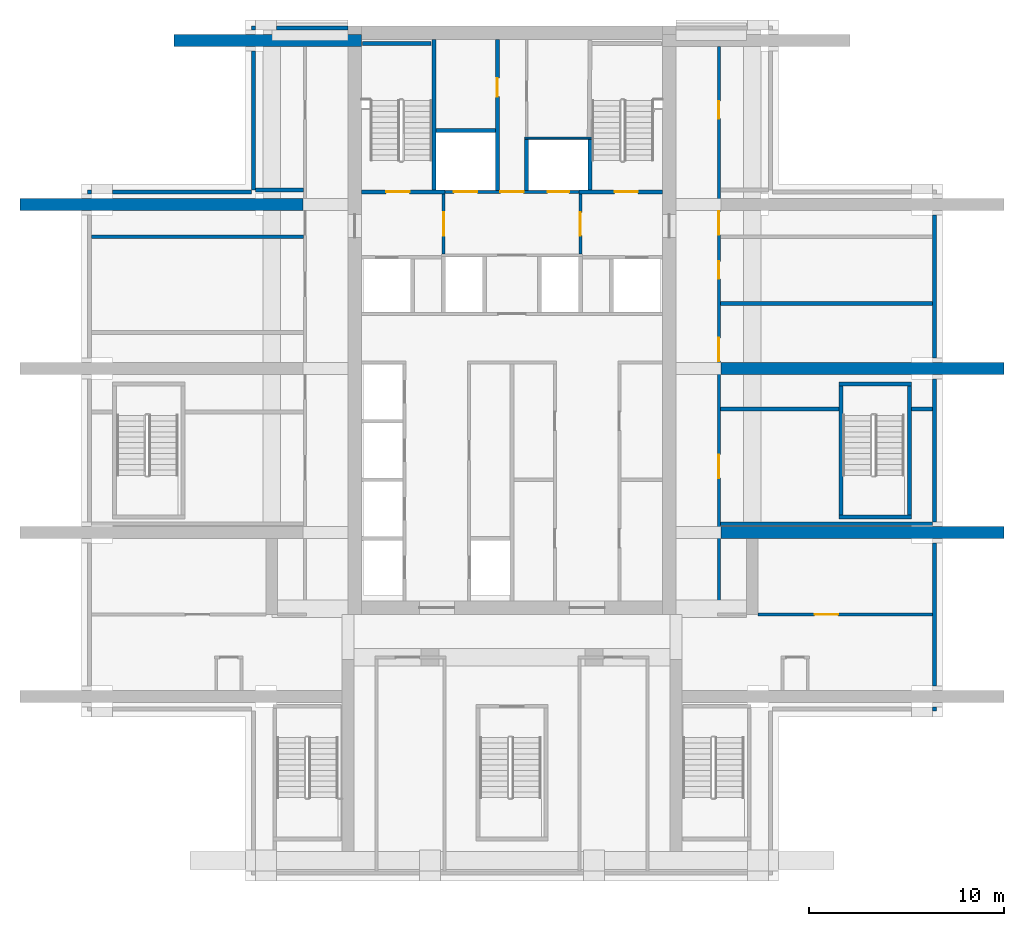
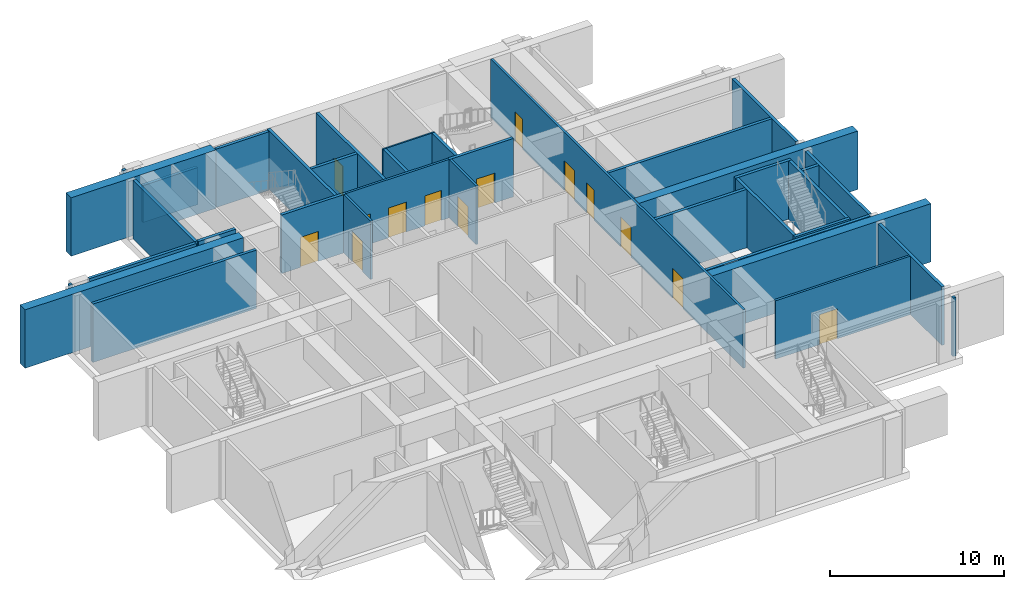
# One storey, part 4 of 10: 37 walls, 14 doors, 14 openings.
"""IFC4 building model written with IfcOpenShell, lengths in metres."""

from ifc_helpers import new_model, si_unit, direction, frame, frame_2d, origin, place, context, subcontext, project, spatial, rectangle, extrude, material, layer, layer_set, type_object, element, fill, save


model = new_model("IFC4")

# Units and contexts
model_context = context("Model", 3, precision=1e-05, world=origin(), true_north=direction((0.0, 1.0)))
body_context = subcontext(model_context, "Body", "Model", "MODEL_VIEW")
ifc_project = project(units=[si_unit("LENGTHUNIT", "METRE"), si_unit("AREAUNIT", "SQUARE_METRE"), si_unit("VOLUMEUNIT", "CUBIC_METRE"), si_unit("PLANEANGLEUNIT", "RADIAN"), si_unit("MASSUNIT", "GRAM", prefix="KILO")], contexts=[model_context])

# Site, building, storey
site_placement = place(None, origin())
site = spatial("IfcSite", under=ifc_project, at=site_placement, CompositionType="ELEMENT")
building_placement = place(site_placement, origin())
building = spatial("IfcBuilding", under=site, at=building_placement, Name="Vermilion Ogive Tower", CompositionType="ELEMENT")
storey_placement = place(building_placement, frame((0.0, 0.0, 171.050048828125)))
storey = spatial("IfcBuildingStorey", under=building, at=storey_placement, Name="L44", CompositionType="ELEMENT", Elevation=171.050048828125)

# Walls
ifc_material_1 = material(Name="Concrete B60", Category="concrete")
ifc_layer_1 = layer(ifc_material_1, 0.60009765625)
ifc_layer_set_1 = layer_set([ifc_layer_1], Name="Outrigger wall 600 B60")
wall_type_1 = type_object("IfcWallType", Name="Outrigger wall 600 B60", PredefinedType="SHEAR", material=ifc_layer_set_1)
for number, where, z_axis, x_axis, name in (
    (1, (10.699951171875, -4.199951171875, 0.0), (0.0, 0.0, 1.0), (1.0, 0.0, 0.0), "L44-OW-EWE-4.2"),
    (2, (10.699951171875, 4.199951171875, 0.0), (0.0, 0.0, 1.0), (1.0, 0.0, 0.0), "L44-OW-EWE+4.2"),
    (3, (-10.699951171875, 12.60009765625, 0.0), (0.0, 0.0, 1.0), (-1.0, 0.0, 0.0), "L44-OW-EWW+12.6"),
):
    element("IfcWall", number, at=place(storey_placement, frame(where, z_axis=z_axis, x_axis=x_axis)), inside=storey, type_object=wall_type_1, Name=name, PredefinedType="SHEAR", context=body_context, shape_type="SweptSolid", body=[
        extrude(rectangle(XDim=14.5, YDim=0.60009765625, at=frame_2d((7.25, 0.0))), origin(), (0.0, 0.0, 1.0), 4.099853515625),
    ])
ifc_material_2 = material(Name="Gypsum board partition on steel studs", Category="steel")
ifc_layer_2 = layer(ifc_material_2, 0.10009765625)
ifc_layer_set_2 = layer_set([ifc_layer_2], Name="Partition 100 bath")
wall_type_2 = type_object("IfcWallType", Name="Partition 100 bath", PredefinedType="PARTITIONING", material=ifc_layer_set_2)
wall_1_placement = place(storey_placement, frame((0.64990234375, 16.0, 0.0), z_axis=(0.0, 0.0, 1.0), x_axis=(1.0, 0.0, 0.0)))
element("IfcWall", 4, at=wall_1_placement, inside=storey, type_object=wall_type_2, Name="L44-CK-W-W017", PredefinedType="PARTITIONING", context=body_context, shape_type="SweptSolid", body=[
    extrude(rectangle(XDim=3.4501953125, YDim=0.10009765625, at=frame_2d((1.72509765625, 0.0))), origin(), (0.0, 0.0, 1.0), 4.099853515625),
])

# Wall, opening, door
ifc_material_3 = material(Name="Gypsum board partition on steel studs", Category="steel")
ifc_layer_3 = layer(ifc_material_3, 0.14990234375)
ifc_layer_set_3 = layer_set([ifc_layer_3], Name="Partition 150 corridor")
wall_type_3 = type_object("IfcWallType", Name="Partition 150 corridor", PredefinedType="PARTITIONING", material=ifc_layer_set_3)
wall_2_placement = place(storey_placement, frame((12.60107421875, -8.39990234375, 0.0), z_axis=(0.0, 0.0, 1.0), x_axis=(1.0, 0.0, 0.0)))
wall_2 = element("IfcWall", 5, at=wall_2_placement, inside=storey, type_object=wall_type_3, Name="L44-FS-W-W006b", PredefinedType="PARTITIONING", context=body_context, shape_type="SweptSolid", body=[
    extrude(rectangle(XDim=8.948974609375, YDim=0.14990234375, at=frame_2d((4.474609375, 0.0))), origin(), (0.0, 0.0, 1.0), 4.099853515625),
])
opening_1_placement = place(wall_2_placement, frame((2.89892578125, 0.0, 0.0)))
opening_1 = element("IfcOpeningElement", 6, at=opening_1_placement, cuts=wall_2, Name="Opening L44S002", PredefinedType="OPENING", context=body_context, shape_type="SweptSolid", body=[
    extrude(rectangle(XDim=1.199951171875, YDim=2.10009765625, at=frame_2d((0.60009765625, 1.050048828125))), frame((0.0, 0.0849609375, 0.0), z_axis=(0.0, -1.0, 0.0), x_axis=(1.0, 0.0, 0.0)), (0.0, 0.0, 1.0), 0.169921875),
])
ifc_material_4 = material(Name="Timber door leaf", Category="wood")
door_type_1 = type_object("IfcDoorType", Name="Fire door 1200 x 2100 FD30", OperationType="SINGLE_SWING_LEFT", PredefinedType="DOOR", material=ifc_material_4)
door_1_placement = place(opening_1_placement, origin())
door_1 = element("IfcDoor", 7, at=door_1_placement, inside=storey, type_object=door_type_1, Name="L44-FS-D-D002", OperationType="SINGLE_SWING_RIGHT", OverallHeight=2.10009765625, OverallWidth=1.199951171875, PredefinedType="DOOR", context=body_context, shape_type="SweptSolid", body=[
    extrude(rectangle(XDim=1.199951171875, YDim=2.10009765625, at=frame_2d((0.60009765625, 1.050048828125))), frame((0.0, 0.02490234375, 0.0), z_axis=(0.0, -1.0, 0.0), x_axis=(1.0, 0.0, 0.0)), (0.0, 0.0, 1.0), 0.050048828125),
])
fill(opening_1, door_1)

# Wall, openings, doors
wall_3_placement = place(storey_placement, frame((10.60009765625, -8.324951171875, 0.0), z_axis=(0.0, 0.0, 1.0), x_axis=(0.0, 1.0, 0.0)))
wall_3 = element("IfcWall", 8, at=wall_3_placement, inside=storey, type_object=wall_type_3, Name="L44-FS-W-W026", PredefinedType="PARTITIONING", context=body_context, shape_type="SweptSolid", body=[
    extrude(rectangle(XDim=29.02392578125, YDim=0.14990234375, at=frame_2d((14.511962890625, 0.0))), origin(), (0.0, 0.0, 1.0), 4.099853515625),
])
opening_2_placement = place(wall_3_placement, frame((6.9150390625, 0.0, 0.0)))
opening_2 = element("IfcOpeningElement", 9, at=opening_2_placement, cuts=wall_3, Name="Opening L44S007", PredefinedType="OPENING", context=body_context, shape_type="SweptSolid", body=[
    extrude(rectangle(XDim=1.199951171875, YDim=2.10009765625, at=frame_2d((0.60009765625, 1.050048828125))), frame((0.0, 0.0849609375, 0.0), z_axis=(0.0, -1.0, 0.0), x_axis=(1.0, 0.0, 0.0)), (0.0, 0.0, 1.0), 0.169921875),
])
opening_3_placement = place(wall_3_placement, frame((12.89990234375, 0.0, 0.0)))
opening_3 = element("IfcOpeningElement", 10, at=opening_3_placement, cuts=wall_3, Name="Opening L44S008", PredefinedType="OPENING", context=body_context, shape_type="SweptSolid", body=[
    extrude(rectangle(XDim=1.199951171875, YDim=2.10009765625, at=frame_2d((0.60009765625, 1.050048828125))), frame((0.0, 0.0849609375, 0.0), z_axis=(0.0, -1.0, 0.0), x_axis=(1.0, 0.0, 0.0)), (0.0, 0.0, 1.0), 0.169921875),
])
opening_4_placement = place(wall_3_placement, frame((17.10986328125, 0.0, 0.0)))
opening_4 = element("IfcOpeningElement", 11, at=opening_4_placement, cuts=wall_3, Name="Opening L44S009", PredefinedType="OPENING", context=body_context, shape_type="SweptSolid", body=[
    extrude(rectangle(XDim=0.89990234375, YDim=2.10009765625, at=frame_2d((0.449951171875, 1.050048828125))), frame((0.0, 0.0849609375, 0.0), z_axis=(0.0, -1.0, 0.0), x_axis=(1.0, 0.0, 0.0)), (0.0, 0.0, 1.0), 0.169921875),
])
opening_5_placement = place(wall_3_placement, frame((19.375, 0.0, 0.0)))
opening_5 = element("IfcOpeningElement", 12, at=opening_5_placement, cuts=wall_3, Name="Opening L44S010", PredefinedType="OPENING", context=body_context, shape_type="SweptSolid", body=[
    extrude(rectangle(XDim=1.199951171875, YDim=2.10009765625, at=frame_2d((0.60009765625, 1.050048828125))), frame((0.0, 0.0849609375, 0.0), z_axis=(0.0, -1.0, 0.0), x_axis=(1.0, 0.0, 0.0)), (0.0, 0.0, 1.0), 0.169921875),
])
opening_6_placement = place(wall_3_placement, frame((25.324951171875, 0.0, 0.0)))
opening_6 = element("IfcOpeningElement", 13, at=opening_6_placement, cuts=wall_3, Name="Opening L44S015", PredefinedType="OPENING", context=body_context, shape_type="SweptSolid", body=[
    extrude(rectangle(XDim=0.89990234375, YDim=2.10009765625, at=frame_2d((0.449951171875, 1.050048828125))), frame((0.0, 0.0849609375, 0.0), z_axis=(0.0, -1.0, 0.0), x_axis=(1.0, 0.0, 0.0)), (0.0, 0.0, 1.0), 0.169921875),
])
ifc_material_5 = material(Name="Timber door leaf", Category="wood")
door_type_2 = type_object("IfcDoorType", Name="Room door 1200 x 2100 FD30", OperationType="SINGLE_SWING_LEFT", PredefinedType="DOOR", material=ifc_material_5)
door_2_placement = place(opening_2_placement, origin())
door_2 = element("IfcDoor", 14, at=door_2_placement, inside=storey, type_object=door_type_2, Name="L44-FS-D-D007", OperationType="SINGLE_SWING_RIGHT", OverallHeight=2.10009765625, OverallWidth=1.199951171875, PredefinedType="DOOR", context=body_context, shape_type="SweptSolid", body=[
    extrude(rectangle(XDim=1.199951171875, YDim=2.10009765625, at=frame_2d((0.60009765625, 1.050048828125))), frame((0.0, 0.02490234375, 0.0), z_axis=(0.0, -1.0, 0.0), x_axis=(1.0, 0.0, 0.0)), (0.0, 0.0, 1.0), 0.050048828125),
])
fill(opening_2, door_2)
door_3_placement = place(opening_3_placement, origin())
door_3 = element("IfcDoor", 15, at=door_3_placement, inside=storey, type_object=door_type_2, Name="L44-FS-D-D008", OperationType="SINGLE_SWING_LEFT", OverallHeight=2.10009765625, OverallWidth=1.199951171875, PredefinedType="DOOR", context=body_context, shape_type="SweptSolid", body=[
    extrude(rectangle(XDim=1.199951171875, YDim=2.10009765625, at=frame_2d((0.60009765625, 1.050048828125))), frame((0.0, 0.02490234375, 0.0), z_axis=(0.0, -1.0, 0.0), x_axis=(1.0, 0.0, 0.0)), (0.0, 0.0, 1.0), 0.050048828125),
])
fill(opening_3, door_3)
door_4_placement = place(opening_5_placement, origin())
door_4 = element("IfcDoor", 16, at=door_4_placement, inside=storey, type_object=door_type_2, Name="L44-FS-D-D010", OperationType="SINGLE_SWING_RIGHT", OverallHeight=2.10009765625, OverallWidth=1.199951171875, PredefinedType="DOOR", context=body_context, shape_type="SweptSolid", body=[
    extrude(rectangle(XDim=1.199951171875, YDim=2.10009765625, at=frame_2d((0.60009765625, 1.050048828125))), frame((0.0, 0.02490234375, 0.0), z_axis=(0.0, -1.0, 0.0), x_axis=(1.0, 0.0, 0.0)), (0.0, 0.0, 1.0), 0.050048828125),
])
fill(opening_5, door_4)
ifc_material_6 = material(Name="Timber door leaf", Category="wood")
door_type_3 = type_object("IfcDoorType", Name="Room door 900 x 2100 FD30", OperationType="SINGLE_SWING_LEFT", PredefinedType="DOOR", material=ifc_material_6)
door_5_placement = place(opening_4_placement, origin())
door_5 = element("IfcDoor", 17, at=door_5_placement, inside=storey, type_object=door_type_3, Name="L44-FS-D-D009", OperationType="SINGLE_SWING_LEFT", OverallHeight=2.10009765625, OverallWidth=0.89990234375, PredefinedType="DOOR", context=body_context, shape_type="SweptSolid", body=[
    extrude(rectangle(XDim=0.89990234375, YDim=2.10009765625, at=frame_2d((0.449951171875, 1.050048828125))), frame((0.0, 0.02490234375, 0.0), z_axis=(0.0, -1.0, 0.0), x_axis=(1.0, 0.0, 0.0)), (0.0, 0.0, 1.0), 0.050048828125),
])
fill(opening_4, door_5)
door_6_placement = place(opening_6_placement, origin())
door_6 = element("IfcDoor", 18, at=door_6_placement, inside=storey, type_object=door_type_3, Name="L44-FS-D-D015", OperationType="SINGLE_SWING_RIGHT", OverallHeight=2.10009765625, OverallWidth=0.89990234375, PredefinedType="DOOR", context=body_context, shape_type="SweptSolid", body=[
    extrude(rectangle(XDim=0.89990234375, YDim=2.10009765625, at=frame_2d((0.449951171875, 1.050048828125))), frame((0.0, 0.02490234375, 0.0), z_axis=(0.0, -1.0, 0.0), x_axis=(1.0, 0.0, 0.0)), (0.0, 0.0, 1.0), 0.050048828125),
])
fill(opening_6, door_6)

wall_4_placement = place(storey_placement, frame((-3.574951171875, 13.25, 0.0), z_axis=(0.0, 0.0, 1.0), x_axis=(1.0, 0.0, 0.0)))
wall_4 = element("IfcWall", 19, at=wall_4_placement, inside=storey, type_object=wall_type_3, Name="L44-CK-W-W015", PredefinedType="PARTITIONING", context=body_context, shape_type="SweptSolid", body=[
    extrude(rectangle(XDim=7.14990234375, YDim=0.14990234375, at=frame_2d((3.574951171875, 0.0))), origin(), (0.0, 0.0, 1.0), 4.099853515625),
])
opening_7_placement = place(wall_4_placement, frame((0.599853515625, 0.0, 0.0)))
opening_7 = element("IfcOpeningElement", 20, at=opening_7_placement, cuts=wall_4, Name="Opening DAF045", PredefinedType="OPENING", context=body_context, shape_type="SweptSolid", body=[
    extrude(rectangle(XDim=1.199951171875, YDim=2.10009765625, at=frame_2d((0.60009765625, 1.050048828125))), frame((0.0, 0.0849609375, 0.0), z_axis=(0.0, -1.0, 0.0), x_axis=(1.0, 0.0, 0.0)), (0.0, 0.0, 1.0), 0.169921875),
])
opening_8_placement = place(wall_4_placement, frame((5.39990234375, 0.0, 0.0)))
opening_8 = element("IfcOpeningElement", 21, at=opening_8_placement, cuts=wall_4, Name="Opening DAF044", PredefinedType="OPENING", context=body_context, shape_type="SweptSolid", body=[
    extrude(rectangle(XDim=1.10009765625, YDim=2.10009765625, at=frame_2d((0.550048828125, 1.050048828125))), frame((0.0, 0.0849609375, 0.0), z_axis=(0.0, -1.0, 0.0), x_axis=(1.0, 0.0, 0.0)), (0.0, 0.0, 1.0), 0.169921875),
])
opening_9_placement = place(wall_4_placement, frame((2.974853515625, 0.0, 0.0)))
opening_9 = element("IfcOpeningElement", 22, at=opening_9_placement, cuts=wall_4, Name="Opening DAF027", PredefinedType="OPENING", context=body_context, shape_type="SweptSolid", body=[
    extrude(rectangle(XDim=1.199951171875, YDim=2.10009765625, at=frame_2d((0.60009765625, 1.050048828125))), frame((0.0, 0.0849609375, 0.0), z_axis=(0.0, -1.0, 0.0), x_axis=(1.0, 0.0, 0.0)), (0.0, 0.0, 1.0), 0.169921875),
])
ifc_material_7 = material(Name="Stainless steel", Category="steel")
door_type_4 = type_object("IfcDoorType", Name="Lift landing door 1100 x 2100", OperationType="SLIDING_TO_LEFT", PredefinedType="DOOR", material=ifc_material_7)
door_7_placement = place(opening_8_placement, origin())
door_7 = element("IfcDoor", 23, at=door_7_placement, inside=storey, type_object=door_type_4, Name="L44-CK-D-D018", OperationType="SLIDING_TO_LEFT", OverallHeight=2.10009765625, OverallWidth=1.10009765625, PredefinedType="DOOR", context=body_context, shape_type="SweptSolid", body=[
    extrude(rectangle(XDim=1.10009765625, YDim=2.10009765625, at=frame_2d((0.550048828125, 1.050048828125))), frame((0.0, 0.02490234375, 0.0), z_axis=(0.0, -1.0, 0.0), x_axis=(1.0, 0.0, 0.0)), (0.0, 0.0, 1.0), 0.050048828125),
])
fill(opening_8, door_7)
ifc_material_8 = material(Name="Stainless steel", Category="steel")
door_type_5 = type_object("IfcDoorType", Name="Lift landing door 1200 x 2100", OperationType="SLIDING_TO_LEFT", PredefinedType="DOOR", material=ifc_material_8)
door_8_placement = place(opening_7_placement, origin())
door_8 = element("IfcDoor", 24, at=door_8_placement, inside=storey, type_object=door_type_5, Name="L44-CK-D-D017", OperationType="SLIDING_TO_RIGHT", OverallHeight=2.10009765625, OverallWidth=1.199951171875, PredefinedType="DOOR", context=body_context, shape_type="SweptSolid", body=[
    extrude(rectangle(XDim=1.199951171875, YDim=2.10009765625, at=frame_2d((0.60009765625, 1.050048828125))), frame((0.0, 0.02490234375, 0.0), z_axis=(0.0, -1.0, 0.0), x_axis=(1.0, 0.0, 0.0)), (0.0, 0.0, 1.0), 0.050048828125),
])
fill(opening_7, door_8)
ifc_material_9 = material(Name="Timber door leaf", Category="wood")
door_type_6 = type_object("IfcDoorType", Name="Service door 1200 x 2100 FD60", OperationType="SINGLE_SWING_LEFT", PredefinedType="DOOR", material=ifc_material_9)
door_9_placement = place(opening_9_placement, origin())
door_9 = element("IfcDoor", 25, at=door_9_placement, inside=storey, type_object=door_type_6, Name="L44-CK-D-D019", OperationType="SINGLE_SWING_RIGHT", OverallHeight=2.10009765625, OverallWidth=1.199951171875, PredefinedType="DOOR", context=body_context, shape_type="SweptSolid", body=[
    extrude(rectangle(XDim=1.199951171875, YDim=2.10009765625, at=frame_2d((0.60009765625, 1.050048828125))), frame((0.0, 0.02490234375, 0.0), z_axis=(0.0, -1.0, 0.0), x_axis=(1.0, 0.0, 0.0)), (0.0, 0.0, 1.0), 0.050048828125),
])
fill(opening_9, door_9)

# Wall, opening, door
wall_5_placement = place(storey_placement, frame((-3.5, 10.074951171875, 0.0), z_axis=(0.0, 0.0, 1.0), x_axis=(0.0, 1.0, 0.0)))
wall_5 = element("IfcWall", 26, at=wall_5_placement, inside=storey, type_object=wall_type_3, Name="L44-CK-W-W023", PredefinedType="PARTITIONING", context=body_context, shape_type="SweptSolid", body=[
    extrude(rectangle(XDim=3.074951171875, YDim=0.14990234375, at=frame_2d((1.53759765625, 0.0))), origin(), (0.0, 0.0, 1.0), 4.099853515625),
])
opening_10_placement = place(wall_5_placement, frame((0.925048828125, 0.0, 0.0)))
opening_10 = element("IfcOpeningElement", 27, at=opening_10_placement, cuts=wall_5, Name="Opening DAF023", PredefinedType="OPENING", context=body_context, shape_type="SweptSolid", body=[
    extrude(rectangle(XDim=1.199951171875, YDim=2.10009765625, at=frame_2d((0.60009765625, 1.050048828125))), frame((0.0, 0.0849609375, 0.0), z_axis=(0.0, -1.0, 0.0), x_axis=(1.0, 0.0, 0.0)), (0.0, 0.0, 1.0), 0.169921875),
])
ifc_material_10 = material(Name="Timber door leaf", Category="wood")
door_type_7 = type_object("IfcDoorType", Name="Lobby door 1200 x 2100 FD60S", OperationType="SINGLE_SWING_LEFT", PredefinedType="DOOR", material=ifc_material_10)
door_10_placement = place(opening_10_placement, origin())
door_10 = element("IfcDoor", 28, at=door_10_placement, inside=storey, type_object=door_type_7, Name="L44-CK-D-D022", OperationType="SINGLE_SWING_RIGHT", OverallHeight=2.10009765625, OverallWidth=1.199951171875, PredefinedType="DOOR", context=body_context, shape_type="SweptSolid", body=[
    extrude(rectangle(XDim=1.199951171875, YDim=2.10009765625, at=frame_2d((0.60009765625, 1.050048828125))), frame((0.0, 0.02490234375, 0.0), z_axis=(0.0, -1.0, 0.0), x_axis=(1.0, 0.0, 0.0)), (0.0, 0.0, 1.0), 0.050048828125),
])
fill(opening_10, door_10)

wall_6_placement = place(storey_placement, frame((3.5, 10.074951171875, 0.0), z_axis=(0.0, 0.0, 1.0), x_axis=(0.0, 1.0, 0.0)))
wall_6 = element("IfcWall", 29, at=wall_6_placement, inside=storey, type_object=wall_type_3, Name="L44-CK-W-W033", PredefinedType="PARTITIONING", context=body_context, shape_type="SweptSolid", body=[
    extrude(rectangle(XDim=3.074951171875, YDim=0.14990234375, at=frame_2d((1.53759765625, 0.0))), origin(), (0.0, 0.0, 1.0), 4.099853515625),
])
opening_11_placement = place(wall_6_placement, frame((0.925048828125, 0.0, 0.0)))
opening_11 = element("IfcOpeningElement", 30, at=opening_11_placement, cuts=wall_6, Name="Opening DAF024", PredefinedType="OPENING", context=body_context, shape_type="SweptSolid", body=[
    extrude(rectangle(XDim=1.199951171875, YDim=2.10009765625, at=frame_2d((0.60009765625, 1.050048828125))), frame((0.0, 0.0849609375, 0.0), z_axis=(0.0, -1.0, 0.0), x_axis=(1.0, 0.0, 0.0)), (0.0, 0.0, 1.0), 0.169921875),
])
door_11_placement = place(opening_11_placement, origin())
door_11 = element("IfcDoor", 31, at=door_11_placement, inside=storey, type_object=door_type_7, Name="L44-CK-D-D023", OperationType="SINGLE_SWING_LEFT", OverallHeight=2.10009765625, OverallWidth=1.199951171875, PredefinedType="DOOR", context=body_context, shape_type="SweptSolid", body=[
    extrude(rectangle(XDim=1.199951171875, YDim=2.10009765625, at=frame_2d((0.60009765625, 1.050048828125))), frame((0.0, 0.02490234375, 0.0), z_axis=(0.0, -1.0, 0.0), x_axis=(1.0, 0.0, 0.0)), (0.0, 0.0, 1.0), 0.050048828125),
])
fill(opening_11, door_11)

# Walls
ifc_material_11 = material(Name="Gypsum board partition on steel studs", Category="steel")
ifc_layer_4 = layer(ifc_material_11, 0.199951171875)
ifc_layer_set_4 = layer_set([ifc_layer_4], Name="Partition 200 party")
wall_type_4 = type_object("IfcWallType", Name="Partition 200 party", PredefinedType="PARTITIONING", material=ifc_layer_set_4)
wall_7_placement = place(storey_placement, frame((10.675048828125, -3.75, 0.0), z_axis=(0.0, 0.0, 1.0), x_axis=(1.0, 0.0, 0.0)))
element("IfcWall", 32, at=wall_7_placement, inside=storey, type_object=wall_type_4, Name="L44-FS-W-W008", PredefinedType="PARTITIONING", context=body_context, shape_type="SweptSolid", body=[
    extrude(rectangle(XDim=10.875, YDim=0.199951171875, at=frame_2d((5.4375, 0.0))), origin(), (0.0, 0.0, 1.0), 4.099853515625),
])
wall_8_placement = place(storey_placement, frame((10.675048828125, 2.1298828125, 0.0), z_axis=(0.0, 0.0, 1.0), x_axis=(1.0, 0.0, 0.0)))
element("IfcWall", 33, at=wall_8_placement, inside=storey, type_object=wall_type_4, Name="L44-FS-W-W011", PredefinedType="PARTITIONING", context=body_context, shape_type="SweptSolid", body=[
    extrude(rectangle(XDim=6.074951171875, YDim=0.199951171875, at=frame_2d((3.03759765625, 0.0))), origin(), (0.0, 0.0, 1.0), 4.099853515625),
])
wall_9_placement = place(storey_placement, frame((20.449951171875, 2.1298828125, 0.0), z_axis=(0.0, 0.0, 1.0), x_axis=(1.0, 0.0, 0.0)))
element("IfcWall", 34, at=wall_9_placement, inside=storey, type_object=wall_type_4, Name="L44-FS-W-W012", PredefinedType="PARTITIONING", context=body_context, shape_type="SweptSolid", body=[
    extrude(rectangle(XDim=1.10009765625, YDim=0.199951171875, at=frame_2d((0.550048828125, 0.0))), origin(), (0.0, 0.0, 1.0), 4.099853515625),
])
for number, where, z_axis, x_axis, name in (
    (35, (10.675048828125, 7.52001953125, 0.0), (0.0, 0.0, 1.0), (1.0, 0.0, 0.0), "L44-FS-W-W014"),
    (36, (-21.550048828125, 10.949951171875, 0.0), (0.0, 0.0, 1.0), (1.0, 0.0, 0.0), "L44-FS-W-W015"),
):
    element("IfcWall", number, at=place(storey_placement, frame(where, z_axis=z_axis, x_axis=x_axis)), inside=storey, type_object=wall_type_4, Name=name, PredefinedType="PARTITIONING", context=body_context, shape_type="SweptSolid", body=[
        extrude(rectangle(XDim=10.875, YDim=0.199951171875, at=frame_2d((5.4375, 0.0))), origin(), (0.0, 0.0, 1.0), 4.099853515625),
    ])
wall_10_placement = place(storey_placement, frame((-13.14990234375, 13.35009765625, 0.0), z_axis=(0.0, 0.0, 1.0), x_axis=(1.0, 0.0, 0.0)))
element("IfcWall", 37, at=wall_10_placement, inside=storey, type_object=wall_type_4, Name="L44-FS-W-W017", PredefinedType="PARTITIONING", context=body_context, shape_type="SweptSolid", body=[
    extrude(rectangle(XDim=2.474853515625, YDim=0.199951171875, at=frame_2d((1.2373046875, 0.0))), origin(), (0.0, 0.0, 1.0), 4.099853515625),
])
wall_11_placement = place(storey_placement, frame((-3.89990234375, 16.39990234375, 0.0), z_axis=(0.0, 0.0, 1.0), x_axis=(1.0, 0.0, 0.0)))
element("IfcWall", 38, at=wall_11_placement, inside=storey, type_object=wall_type_4, Name="L44-CK-W-W018", PredefinedType="PARTITIONING", context=body_context, shape_type="SweptSolid", body=[
    extrude(rectangle(XDim=3.0498046875, YDim=0.199951171875, at=frame_2d((1.52490234375, 0.0))), origin(), (0.0, 0.0, 1.0), 4.099853515625),
])

# Wall, opening, door
wall_12_placement = place(storey_placement, frame((-0.75, 13.324951171875, 0.0), z_axis=(0.0, 0.0, 1.0), x_axis=(0.0, 1.0, 0.0)))
wall_12 = element("IfcWall", 39, at=wall_12_placement, inside=storey, type_object=wall_type_4, Name="L44-CK-W-W026", PredefinedType="PARTITIONING", context=body_context, shape_type="SweptSolid", body=[
    extrude(rectangle(XDim=7.72412109375, YDim=0.199951171875, at=frame_2d((3.862060546875, 0.0))), origin(), (0.0, 0.0, 1.0), 4.099853515625),
])
opening_12_placement = place(wall_12_placement, frame((4.800048828125, 0.0, 0.0)))
opening_12 = element("IfcOpeningElement", 40, at=opening_12_placement, cuts=wall_12, Name="Opening DAF033", PredefinedType="OPENING", context=body_context, shape_type="SweptSolid", body=[
    extrude(rectangle(XDim=0.949951171875, YDim=2.10009765625, at=frame_2d((0.47509765625, 1.050048828125))), frame((0.0, 0.10986328125, 0.0), z_axis=(0.0, -1.0, 0.0), x_axis=(1.0, 0.0, 0.0)), (0.0, 0.0, 1.0), 0.219970703125),
])
ifc_material_12 = material(Name="Timber door leaf", Category="wood")
door_type_8 = type_object("IfcDoorType", Name="Service door 950 x 2100 FD60", OperationType="SINGLE_SWING_LEFT", PredefinedType="DOOR", material=ifc_material_12)
door_12_placement = place(opening_12_placement, origin())
door_12 = element("IfcDoor", 41, at=door_12_placement, inside=storey, type_object=door_type_8, Name="L44-CK-D-D020", OperationType="SINGLE_SWING_RIGHT", OverallHeight=2.10009765625, OverallWidth=0.949951171875, PredefinedType="DOOR", context=body_context, shape_type="SweptSolid", body=[
    extrude(rectangle(XDim=0.949951171875, YDim=2.10009765625, at=frame_2d((0.47509765625, 1.050048828125))), frame((0.0, 0.02490234375, 0.0), z_axis=(0.0, -1.0, 0.0), x_axis=(1.0, 0.0, 0.0)), (0.0, 0.0, 1.0), 0.050048828125),
])
fill(opening_12, door_12)

# Walls
wall_13_placement = place(storey_placement, frame((0.75, 13.324951171875, 0.0), z_axis=(0.0, 0.0, 1.0), x_axis=(0.0, 1.0, 0.0)))
element("IfcWall", 42, at=wall_13_placement, inside=storey, type_object=wall_type_4, Name="L44-CK-W-W028", PredefinedType="PARTITIONING", context=body_context, shape_type="SweptSolid", body=[
    extrude(rectangle(XDim=2.625, YDim=0.199951171875, at=frame_2d((1.3125, 0.0))), origin(), (0.0, 0.0, 1.0), 4.099853515625),
])
ifc_material_13 = material(Name="Aluminium louvre panels", Category="aluminium")
ifc_layer_5 = layer(ifc_material_13, 0.199951171875)
ifc_layer_set_5 = layer_set([ifc_layer_5], Name="Plant louvre wall")
wall_type_5 = type_object("IfcWallType", Name="Plant louvre wall", PredefinedType="STANDARD", material=ifc_layer_set_5)
wall_14_placement = place(storey_placement, frame((21.550048828125, -13.25, 0.0), z_axis=(0.0, 0.0, 1.0), x_axis=(1.0, 0.0, 0.0)))
element("IfcWall", 43, at=wall_14_placement, inside=storey, type_object=wall_type_5, Name="Window wall X22", PredefinedType="STANDARD", context=body_context, shape_type="SweptSolid", body=[
    extrude(rectangle(XDim=0.199951171875, YDim=0.199951171875, at=frame_2d((0.10009765625, 0.0))), origin(), (0.0, 0.0, 1.0), 4.099853515625),
])
wall_15_placement = place(storey_placement, frame((21.64990234375, -12.050048828125, 0.0), z_axis=(0.0, 0.0, 1.0), x_axis=(0.0, 1.0, 0.0)))
element("IfcWall", 44, at=wall_15_placement, inside=storey, type_object=wall_type_5, Name="Window wall E1", PredefinedType="STANDARD", context=body_context, shape_type="SweptSolid", body=[
    extrude(rectangle(XDim=7.300048828125, YDim=0.199951171875, at=frame_2d((3.64990234375, 0.0))), origin(), (0.0, 0.0, 1.0), 4.099853515625),
])
wall_16_placement = place(storey_placement, frame((21.64990234375, -3.64990234375, 0.0), z_axis=(0.0, 0.0, 1.0), x_axis=(0.0, 1.0, 0.0)))
element("IfcWall", 45, at=wall_16_placement, inside=storey, type_object=wall_type_5, Name="Window wall E2", PredefinedType="STANDARD", context=body_context, shape_type="SweptSolid", body=[
    extrude(rectangle(XDim=7.2998046875, YDim=0.199951171875, at=frame_2d((3.64990234375, 0.0))), origin(), (0.0, 0.0, 1.0), 4.099853515625),
])
wall_17_placement = place(storey_placement, frame((21.64990234375, 4.75, 0.0), z_axis=(0.0, 0.0, 1.0), x_axis=(0.0, 1.0, 0.0)))
element("IfcWall", 46, at=wall_17_placement, inside=storey, type_object=wall_type_5, Name="Window wall E3", PredefinedType="STANDARD", context=body_context, shape_type="SweptSolid", body=[
    extrude(rectangle(XDim=7.300048828125, YDim=0.199951171875, at=frame_2d((3.64990234375, 0.0))), origin(), (0.0, 0.0, 1.0), 4.099853515625),
])
wall_18_placement = place(storey_placement, frame((-8.39990234375, 21.64990234375, 0.0), z_axis=(0.0, 0.0, 1.0), x_axis=(-1.0, 0.0, 0.0)))
element("IfcWall", 47, at=wall_18_placement, inside=storey, type_object=wall_type_5, Name="Window wall N21", PredefinedType="STANDARD", context=body_context, shape_type="SweptSolid", body=[
    extrude(rectangle(XDim=3.650146484375, YDim=0.199951171875, at=frame_2d((1.8251953125, 0.0))), origin(), (0.0, 0.0, 1.0), 2.599853515625),
])
wall_19_placement = place(storey_placement, frame((-13.14990234375, 21.64990234375, 0.0), z_axis=(0.0, 0.0, 1.0), x_axis=(-1.0, 0.0, 0.0)))
element("IfcWall", 48, at=wall_19_placement, inside=storey, type_object=wall_type_5, Name="Window wall N22", PredefinedType="STANDARD", context=body_context, shape_type="SweptSolid", body=[
    extrude(rectangle(XDim=0.2001953125, YDim=0.199951171875, at=frame_2d((0.10009765625, 0.0))), origin(), (0.0, 0.0, 1.0), 4.099853515625),
])
for number, where, z_axis, x_axis, name in (
    (49, (-13.25, 20.449951171875, 0.0), (0.0, 0.0, 1.0), (0.0, -1.0, 0.0), "Window wall X51"),
    (50, (-13.35009765625, 13.25, 0.0), (0.0, 0.0, 1.0), (-1.0, 0.0, 0.0), "Window wall X61"),
):
    element("IfcWall", number, at=place(storey_placement, frame(where, z_axis=z_axis, x_axis=x_axis)), inside=storey, type_object=wall_type_5, Name=name, PredefinedType="STANDARD", context=body_context, shape_type="SweptSolid", body=[
        extrude(rectangle(XDim=7.099853515625, YDim=0.199951171875, at=frame_2d((3.5498046875, 0.0))), origin(), (0.0, 0.0, 1.0), 4.099853515625),
    ])
wall_20_placement = place(storey_placement, frame((-21.550048828125, 13.25, 0.0), z_axis=(0.0, 0.0, 1.0), x_axis=(-1.0, 0.0, 0.0)))
element("IfcWall", 51, at=wall_20_placement, inside=storey, type_object=wall_type_5, Name="Window wall X62", PredefinedType="STANDARD", context=body_context, shape_type="SweptSolid", body=[
    extrude(rectangle(XDim=0.199951171875, YDim=0.199951171875, at=frame_2d((0.10009765625, 0.0))), origin(), (0.0, 0.0, 1.0), 4.099853515625),
])

# Wall, opening, door
ifc_material_14 = material(Name="Concrete B60", Category="concrete")
ifc_layer_6 = layer(ifc_material_14, 0.199951171875)
ifc_layer_set_6 = layer_set([ifc_layer_6], Name="Stair shaft wall 200 Concrete B60")
wall_type_6 = type_object("IfcWallType", Name="Stair shaft wall 200 Concrete B60", PredefinedType="SOLIDWALL", material=ifc_layer_set_6)
wall_21_placement = place(storey_placement, frame((-7.698974609375, 13.25, 0.0), z_axis=(0.0, 0.0, 1.0), x_axis=(1.0, 0.0, 0.0)))
wall_21 = element("IfcWall", 52, at=wall_21_placement, inside=storey, type_object=wall_type_6, Name="L44-CK-W-W014", PredefinedType="SOLIDWALL", context=body_context, shape_type="SweptSolid", body=[
    extrude(rectangle(XDim=4.27392578125, YDim=0.199951171875, at=frame_2d((2.136962890625, 0.0))), origin(), (0.0, 0.0, 1.0), 4.099853515625),
])
opening_13_placement = place(wall_21_placement, frame((1.2490234375, 0.0, 0.0)))
opening_13 = element("IfcOpeningElement", 53, at=opening_13_placement, cuts=wall_21, Name="Opening DAF035", PredefinedType="OPENING", context=body_context, shape_type="SweptSolid", body=[
    extrude(rectangle(XDim=1.199951171875, YDim=2.10009765625, at=frame_2d((0.60009765625, 1.050048828125))), frame((0.0, 0.10986328125, 0.0), z_axis=(0.0, -1.0, 0.0), x_axis=(1.0, 0.0, 0.0)), (0.0, 0.0, 1.0), 0.219970703125),
])
ifc_material_15 = material(Name="Timber door leaf", Category="wood")
door_type_9 = type_object("IfcDoorType", Name="Stair door 1200 x 2100 FD60S", OperationType="SINGLE_SWING_LEFT", PredefinedType="DOOR", material=ifc_material_15)
door_13_placement = place(opening_13_placement, origin())
door_13 = element("IfcDoor", 54, at=door_13_placement, inside=storey, type_object=door_type_9, Name="L44-CK-D-D011", OperationType="SINGLE_SWING_LEFT", OverallHeight=2.10009765625, OverallWidth=1.199951171875, PredefinedType="DOOR", context=body_context, shape_type="SweptSolid", body=[
    extrude(rectangle(XDim=1.199951171875, YDim=2.10009765625, at=frame_2d((0.60009765625, 1.050048828125))), frame((0.0, 0.02490234375, 0.0), z_axis=(0.0, -1.0, 0.0), x_axis=(1.0, 0.0, 0.0)), (0.0, 0.0, 1.0), 0.050048828125),
])
fill(opening_13, door_13)

wall_22_placement = place(storey_placement, frame((3.425048828125, 13.25, 0.0), z_axis=(0.0, 0.0, 1.0), x_axis=(1.0, 0.0, 0.0)))
wall_22 = element("IfcWall", 55, at=wall_22_placement, inside=storey, type_object=wall_type_6, Name="L44-CK-W-W016", PredefinedType="SOLIDWALL", context=body_context, shape_type="SweptSolid", body=[
    extrude(rectangle(XDim=4.27392578125, YDim=0.199951171875, at=frame_2d((2.136962890625, 0.0))), origin(), (0.0, 0.0, 1.0), 4.099853515625),
])
opening_14_placement = place(wall_22_placement, frame((1.824951171875, 0.0, 0.0)))
opening_14 = element("IfcOpeningElement", 56, at=opening_14_placement, cuts=wall_22, Name="Opening DAF036", PredefinedType="OPENING", context=body_context, shape_type="SweptSolid", body=[
    extrude(rectangle(XDim=1.199951171875, YDim=2.10009765625, at=frame_2d((0.60009765625, 1.050048828125))), frame((0.0, 0.10986328125, 0.0), z_axis=(0.0, -1.0, 0.0), x_axis=(1.0, 0.0, 0.0)), (0.0, 0.0, 1.0), 0.219970703125),
])
door_14_placement = place(opening_14_placement, origin())
door_14 = element("IfcDoor", 57, at=door_14_placement, inside=storey, type_object=door_type_9, Name="L44-CK-D-D013", OperationType="SINGLE_SWING_RIGHT", OverallHeight=2.10009765625, OverallWidth=1.199951171875, PredefinedType="DOOR", context=body_context, shape_type="SweptSolid", body=[
    extrude(rectangle(XDim=1.199951171875, YDim=2.10009765625, at=frame_2d((0.60009765625, 1.050048828125))), frame((0.0, 0.02490234375, 0.0), z_axis=(0.0, -1.0, 0.0), x_axis=(1.0, 0.0, 0.0)), (0.0, 0.0, 1.0), 0.050048828125),
])
fill(opening_14, door_14)

# Walls
wall_23_placement = place(storey_placement, frame((-4.0, 13.35009765625, 0.0), z_axis=(0.0, 0.0, 1.0), x_axis=(0.0, 1.0, 0.0)))
element("IfcWall", 58, at=wall_23_placement, inside=storey, type_object=wall_type_6, Name="L44-CK-W-W021", PredefinedType="SOLIDWALL", context=body_context, shape_type="SweptSolid", body=[
    extrude(rectangle(XDim=7.698974609375, YDim=0.199951171875, at=frame_2d((3.849609375, 0.0))), origin(), (0.0, 0.0, 1.0), 4.099853515625),
])
wall_24_placement = place(storey_placement, frame((4.0, 13.35009765625, 0.0), z_axis=(0.0, 0.0, 1.0), x_axis=(0.0, 1.0, 0.0)))
element("IfcWall", 59, at=wall_24_placement, inside=storey, type_object=wall_type_6, Name="L44-CK-W-W034", PredefinedType="SOLIDWALL", context=body_context, shape_type="SweptSolid", body=[
    extrude(rectangle(XDim=2.599853515625, YDim=0.199951171875, at=frame_2d((1.2998046875, 0.0))), origin(), (0.0, 0.0, 1.0), 4.099853515625),
])
for number, where, z_axis, x_axis, name in (
    (60, (16.75, -3.39990234375, 0.0), (0.0, 0.0, 1.0), (1.0, 0.0, 0.0), "L44-SW-ST8-S1"),
    (61, (16.75, 3.39990234375, 0.0), (0.0, 0.0, 1.0), (1.0, 0.0, 0.0), "L44-SW-ST8-N1"),
):
    element("IfcWall", number, at=place(storey_placement, frame(where, z_axis=z_axis, x_axis=x_axis)), inside=storey, type_object=wall_type_6, Name=name, PredefinedType="SOLIDWALL", context=body_context, shape_type="SweptSolid", body=[
        extrude(rectangle(XDim=3.699951171875, YDim=0.199951171875, at=frame_2d((1.85009765625, 0.0))), origin(), (0.0, 0.0, 1.0), 4.099853515625),
    ])
for number, where, z_axis, x_axis, name in (
    (62, (16.85009765625, -3.300048828125, 0.0), (0.0, 0.0, 1.0), (0.0, 1.0, 0.0), "L44-SW-ST8-W1"),
    (63, (20.35009765625, -3.300048828125, 0.0), (0.0, 0.0, 1.0), (0.0, 1.0, 0.0), "L44-SW-ST8-E1"),
):
    element("IfcWall", number, at=place(storey_placement, frame(where, z_axis=z_axis, x_axis=x_axis)), inside=storey, type_object=wall_type_6, Name=name, PredefinedType="SOLIDWALL", context=body_context, shape_type="SweptSolid", body=[
        extrude(rectangle(XDim=6.60009765625, YDim=0.199951171875, at=frame_2d((3.300048828125, 0.0))), origin(), (0.0, 0.0, 1.0), 4.099853515625),
    ])
wall_25_placement = place(storey_placement, frame((-7.64990234375, 20.85009765625, 0.0), z_axis=(0.0, 0.0, 1.0), x_axis=(1.0, 0.0, 0.0)))
element("IfcWall", 64, at=wall_25_placement, inside=storey, type_object=wall_type_6, Name="L44-SW-R015-N1", PredefinedType="SOLIDWALL", context=body_context, shape_type="SweptSolid", body=[
    extrude(rectangle(XDim=3.5, YDim=0.199951171875, at=frame_2d((1.75, 0.0))), origin(), (0.0, 0.0, 1.0), 4.099853515625),
])
ifc_material_16 = material(Name="Concrete B60", Category="concrete")
ifc_layer_7 = layer(ifc_material_16, 0.60009765625)
ifc_layer_set_7 = layer_set([ifc_layer_7], Name="Transfer wall 600 B60")
wall_type_7 = type_object("IfcWallType", Name="Transfer wall 600 B60", PredefinedType="SHEAR", material=ifc_layer_set_7)
wall_26_placement = place(storey_placement, frame((-17.300048828125, 21.0, 0.0), z_axis=(0.0, 0.0, 1.0), x_axis=(1.0, 0.0, 0.0)))
element("IfcWall", 65, at=wall_26_placement, inside=storey, type_object=wall_type_7, Name="L44-TW-1", PredefinedType="SHEAR", context=body_context, shape_type="SweptSolid", body=[
    extrude(rectangle(XDim=9.60009765625, YDim=0.60009765625, at=frame_2d((4.800048828125, 0.0))), origin(), (0.0, 0.0, 1.0), 4.099853515625),
])

save(model, "model.ifc")
